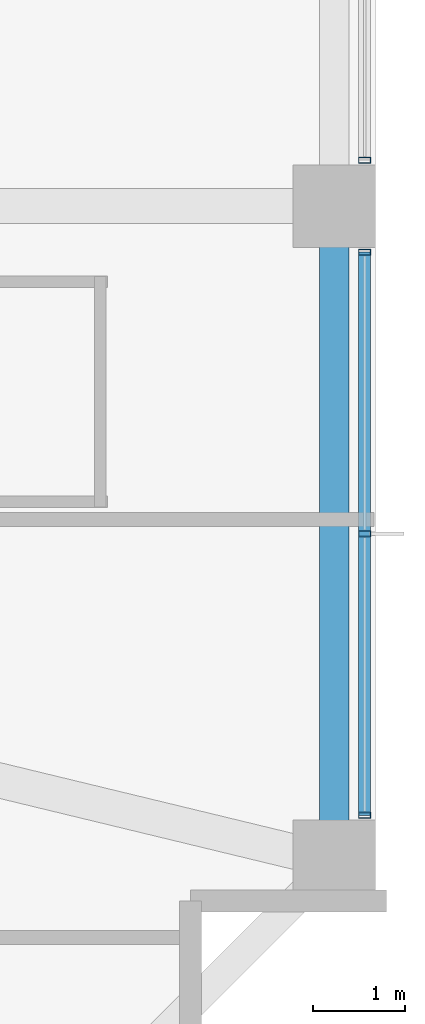
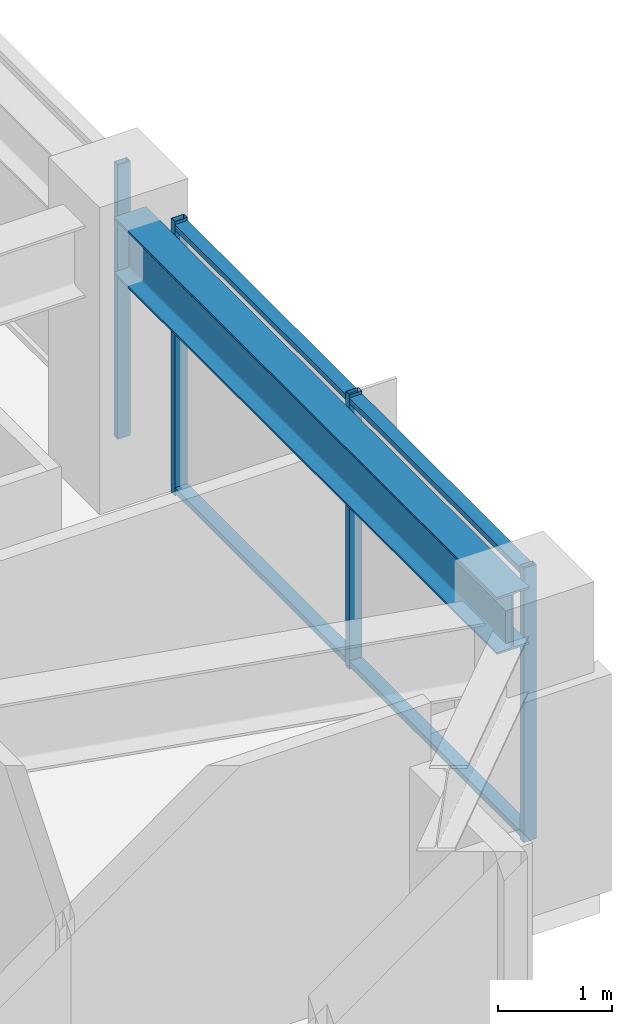
# One storey, part 13 of 31: 6 members, 1 beam, 2 elements without a shape of their own.
"""IFC4 building model written with IfcOpenShell, lengths in metres."""

from ifc_helpers import new_model, si_unit, direction, frame, origin, origin_2d, place, context, subcontext, project, spatial, hollow_rectangle, i_section, extrude, material, material_profile, profile_set, type_object, element, aggregate, save


model = new_model("IFC4")

# Units and contexts
model_context = context("Model", 3, precision=1e-05, world=origin(), true_north=direction((0.0, 1.0)))
body_context = subcontext(model_context, "Body", "Model", "MODEL_VIEW")
ifc_project = project(units=[si_unit("LENGTHUNIT", "METRE"), si_unit("AREAUNIT", "SQUARE_METRE"), si_unit("VOLUMEUNIT", "CUBIC_METRE"), si_unit("PLANEANGLEUNIT", "RADIAN"), si_unit("MASSUNIT", "GRAM", prefix="KILO")], contexts=[model_context])

# Site, building, storey
site_placement = place(None, origin())
site = spatial("IfcSite", under=ifc_project, at=site_placement, CompositionType="ELEMENT")
building_placement = place(site_placement, origin())
building = spatial("IfcBuilding", under=site, at=building_placement, Name="Kolvaren Belvedere", CompositionType="ELEMENT")
storey_placement = place(building_placement, frame((0.0, 0.0, 144.800048828125)))
storey = spatial("IfcBuildingStorey", under=building, at=storey_placement, Name="L42", CompositionType="ELEMENT", Elevation=144.800048828125)

# Beam
ifc_material_1 = material(Name="Structural steel ASTM A992 Grade 50", Category="steel")
ifc_material_profile_1 = material_profile(ifc_material_1, i_section(OverallWidth=0.324951171875, OverallDepth=0.615966796875, WebThickness=0.013916015625, FlangeThickness=0.021484375, FilletRadius=0.02001953125, at=origin_2d()), Name="W24X117")
ifc_profile_set_1 = profile_set([ifc_material_profile_1], Name="Structural steel ASTM A992 Grade 50")
beam_type = type_object("IfcBeamType", Name="BM-SPAN-W24X117", PredefinedType="SPANDREL", material=ifc_profile_set_1)
beam_placement = place(storey_placement, frame((17.550048828125, -11.547607421875, 2.641845703125), z_axis=(0.0, 1.0, 0.0), x_axis=(-1.0, 0.0, 0.0)))
element("IfcBeam", 1, at=beam_placement, inside=storey, type_object=beam_type, Name="L42 Perimeter Spandrel E1-E2", PredefinedType="SPANDREL", context=body_context, shape_type="SweptSolid", body=[
    extrude(i_section(OverallWidth=0.324951171875, OverallDepth=0.615966796875, WebThickness=0.013916015625, FlangeThickness=0.021484375, FilletRadius=0.02001953125, at=origin_2d()), origin(), (0.0, 0.0, 1.0), 6.7451171875),
])

# Curtain wall, member
ifc_material_2 = material(Name="Anodised pale-metal aluminium AA 6063-T6", Category="aluminium")
curtain_wall_type = type_object("IfcCurtainWallType", Name="CW-Z3-WAIST", PredefinedType="NOTDEFINED", material=ifc_material_2)
curtain_wall_1_placement = place(storey_placement, origin())
curtain_wall_1 = element("IfcCurtainWall", 2, at=curtain_wall_1_placement, inside=storey, type_object=curtain_wall_type, Name="L42 Unitised Curtain Wall FCW-L42-E-B2", PredefinedType="NOTDEFINED")
ifc_material_3 = material(Name="Anodised pale-metal aluminium AA 6063-T6", Category="aluminium")
ifc_material_profile_2 = material_profile(ifc_material_3, hollow_rectangle(XDim=0.06494140625, YDim=0.1298828125, WallThickness=0.00390625, at=origin_2d()), Name="ALU-MUL-130X65")
ifc_profile_set_2 = profile_set([ifc_material_profile_2], Name="Anodised pale-metal aluminium AA 6063-T6")
member_type_1 = type_object("IfcMemberType", Name="CW-MUL-130", PredefinedType="MULLION", material=ifc_profile_set_2)
member_1_placement = place(storey_placement, frame((17.8798828125, -4.097412109375, 0.0), z_axis=(0.0, 0.0, 1.0), x_axis=(0.0, 1.0, 0.0)))
member_1 = element("IfcMember", 3, at=member_1_placement, type_object=member_type_1, Name="FCW-L42-E-B2 Unitised Mullion 3", PredefinedType="MULLION", context=body_context, shape_type="SweptSolid", body=[
    extrude(hollow_rectangle(XDim=0.06494140625, YDim=0.1298828125, WallThickness=0.00390625, at=origin_2d()), origin(), (0.0, 0.0, 1.0), 2.949951171875),
])
aggregate(curtain_wall_1, [member_1])

# Curtain wall, members
curtain_wall_2_placement = place(storey_placement, origin())
curtain_wall_2 = element("IfcCurtainWall", 4, at=curtain_wall_2_placement, inside=storey, type_object=curtain_wall_type, Name="L42 Unitised Curtain Wall FCW-L42-E-B3", PredefinedType="NOTDEFINED")
member_2_placement = place(storey_placement, frame((17.8798828125, -5.1025390625, 0.0), z_axis=(0.0, 0.0, 1.0), x_axis=(0.0, 1.0, 0.0)))
member_2 = element("IfcMember", 5, at=member_2_placement, type_object=member_type_1, Name="FCW-L42-E-B3 Unitised Mullion 1", PredefinedType="MULLION", context=body_context, shape_type="SweptSolid", body=[
    extrude(hollow_rectangle(XDim=0.06494140625, YDim=0.1298828125, WallThickness=0.00390625, at=origin_2d()), origin(), (0.0, 0.0, 1.0), 2.949951171875),
])
member_3_placement = place(storey_placement, frame((17.8798828125, -8.175048828125, 0.0), z_axis=(0.0, 0.0, 1.0), x_axis=(0.0, 1.0, 0.0)))
member_3 = element("IfcMember", 6, at=member_3_placement, type_object=member_type_1, Name="FCW-L42-E-B3 Unitised Mullion 2", PredefinedType="MULLION", context=body_context, shape_type="SweptSolid", body=[
    extrude(hollow_rectangle(XDim=0.06494140625, YDim=0.1298828125, WallThickness=0.00390625, at=origin_2d()), origin(), (0.0, 0.0, 1.0), 2.949951171875),
])
member_4_placement = place(storey_placement, frame((17.8798828125, -11.24755859375, 0.0), z_axis=(0.0, 0.0, 1.0), x_axis=(0.0, 1.0, 0.0)))
member_4 = element("IfcMember", 7, at=member_4_placement, type_object=member_type_1, Name="FCW-L42-E-B3 Unitised Mullion 3", PredefinedType="MULLION", context=body_context, shape_type="SweptSolid", body=[
    extrude(hollow_rectangle(XDim=0.06494140625, YDim=0.1298828125, WallThickness=0.00390625, at=origin_2d()), origin(), (0.0, 0.0, 1.0), 2.949951171875),
])
ifc_material_4 = material(Name="Anodised pale-metal aluminium AA 6063-T6", Category="aluminium")
ifc_material_profile_3 = material_profile(ifc_material_4, hollow_rectangle(XDim=0.06005859375, YDim=0.1298828125, WallThickness=0.00390625, at=origin_2d()), Name="ALU-TRN-130X60")
ifc_profile_set_3 = profile_set([ifc_material_profile_3], Name="Anodised pale-metal aluminium AA 6063-T6")
member_type_2 = type_object("IfcMemberType", Name="CW-TRN-130", PredefinedType="USERDEFINED", material=ifc_profile_set_3)
member_5_placement = place(storey_placement, frame((17.8798828125, -5.1025390625, 0.06005859375), z_axis=(0.0, -1.0, 0.0), x_axis=(0.0, 0.0, 1.0)))
member_5 = element("IfcMember", 8, at=member_5_placement, type_object=member_type_2, Name="FCW-L42-E-B3 Sill Transom", ObjectType="TRANSOM", PredefinedType="USERDEFINED", context=body_context, shape_type="SweptSolid", body=[
    extrude(hollow_rectangle(XDim=0.06005859375, YDim=0.1298828125, WallThickness=0.00390625, at=origin_2d()), origin(), (0.0, 0.0, 1.0), 6.14501953125),
])
member_6_placement = place(storey_placement, frame((17.8798828125, -5.1025390625, 2.889892578125), z_axis=(0.0, -1.0, 0.0), x_axis=(0.0, 0.0, 1.0)))
member_6 = element("IfcMember", 9, at=member_6_placement, type_object=member_type_2, Name="FCW-L42-E-B3 Head Transom", ObjectType="TRANSOM", PredefinedType="USERDEFINED", context=body_context, shape_type="SweptSolid", body=[
    extrude(hollow_rectangle(XDim=0.06005859375, YDim=0.1298828125, WallThickness=0.00390625, at=origin_2d()), origin(), (0.0, 0.0, 1.0), 6.14501953125),
])
aggregate(curtain_wall_2, [member_2, member_3, member_4, member_5, member_6])

save(model, "model.ifc")
